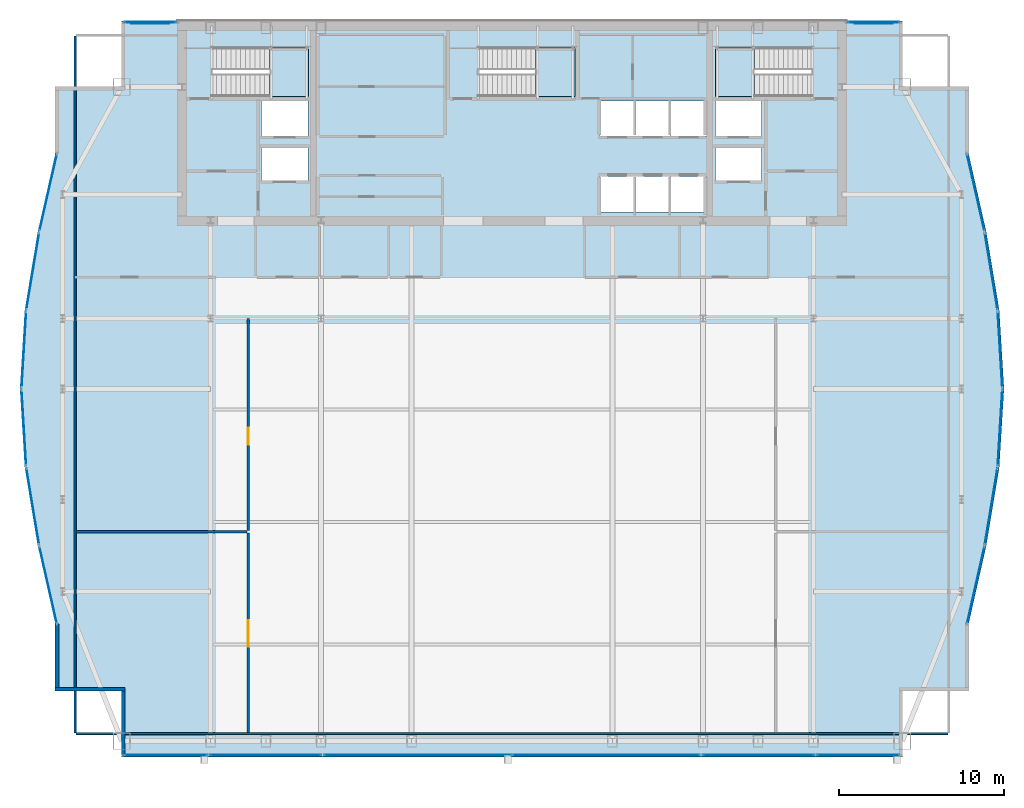
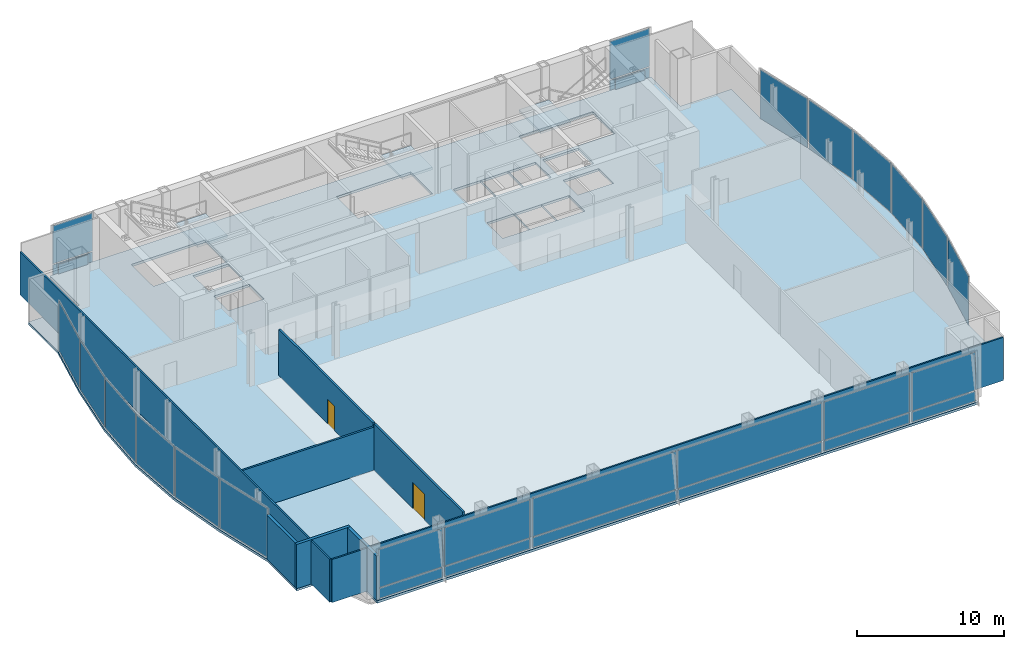
# One storey, part 23 of 28: 30 plates, 8 walls, 4 slabs, 2 doors, 2 openings, 22 elements without a shape of their own.
"""IFC4 building model written with IfcOpenShell, lengths in metres."""

from ifc_helpers import new_model, si_unit, direction, frame, frame_2d, origin, origin_2d, place, context, subcontext, project, spatial, polyline, rectangle, outline, extrude, material, layer, layer_set, type_object, element, fill, aggregate, save


model = new_model("IFC4")

# Units and contexts
model_context = context("Model", 3, precision=1e-05, world=origin(), true_north=direction((0.0, 1.0)))
body_context = subcontext(model_context, "Body", "Model", "MODEL_VIEW")
ifc_project = project(units=[si_unit("LENGTHUNIT", "METRE"), si_unit("AREAUNIT", "SQUARE_METRE"), si_unit("VOLUMEUNIT", "CUBIC_METRE"), si_unit("PLANEANGLEUNIT", "RADIAN"), si_unit("MASSUNIT", "GRAM", prefix="KILO")], contexts=[model_context])

# Site, building, storey
site_placement = place(None, origin())
site = spatial("IfcSite", under=ifc_project, at=site_placement, CompositionType="ELEMENT")
building_placement = place(site_placement, origin())
building = spatial("IfcBuilding", under=site, at=building_placement, Name="Khoronbel Lancet Exchange", CompositionType="ELEMENT")
storey_placement = place(building_placement, frame((0.0, 0.0, 265.39990234375)))
storey = spatial("IfcBuildingStorey", under=building, at=storey_placement, Name="L68", CompositionType="ELEMENT", Elevation=265.39990234375)

# Curtain wall, plate
ifc_material_1 = material(Name="Low-E Solar Control Insulating Glass", Category="glass")
curtain_wall_type_1 = type_object("IfcCurtainWallType", Name="CW-4", PredefinedType="NOTDEFINED", material=ifc_material_1)
curtain_wall_1_placement = place(storey_placement, origin())
curtain_wall_1 = element("IfcCurtainWall", 1, at=curtain_wall_1_placement, inside=storey, type_object=curtain_wall_type_1, Name="Unitised curtain wall CW-L68-E05", PredefinedType="NOTDEFINED")
ifc_material_2 = material(Name="Bronze-Anodised Aluminium 6063-T6", Category="aluminium")
ifc_layer_1 = layer(ifc_material_2, 0.050048828125, Name="Bronze-Anodised Aluminium 6063-T6")
ifc_layer_set_1 = layer_set([ifc_layer_1], Name="Bronze-Anodised Aluminium 6063-T6")
plate_type_1 = type_object("IfcPlateType", Name="PLT-CSP1", PredefinedType="SHEET", material=ifc_layer_set_1)
plate_1_placement = place(storey_placement, frame((7.470458984375, 24.338623046875, 0.0849609375), z_axis=(0.0, 0.0, 1.0), x_axis=(-0.163454433086, 0.986550884803, 0.0)))
plate_1 = element("IfcPlate", 2, at=plate_1_placement, type_object=plate_type_1, Name="CW4 panel 1.1", PredefinedType="CURTAIN_PANEL", context=body_context, shape_type="SweptSolid", body=[
    extrude(rectangle(XDim=4.657470703125, YDim=0.0380859375, at=origin_2d()), origin(), (0.0, 0.0, 1.0), 4.070068359375),
])
aggregate(curtain_wall_1, [plate_1])

curtain_wall_2_placement = place(storey_placement, origin())
curtain_wall_2 = element("IfcCurtainWall", 3, at=curtain_wall_2_placement, inside=storey, type_object=curtain_wall_type_1, Name="Unitised curtain wall CW-L68-E06", PredefinedType="NOTDEFINED")
plate_2_placement = place(storey_placement, frame((6.933837890625, 29.080078125, 0.0849609375), z_axis=(0.0, 0.0, 1.0), x_axis=(-0.060523036034, 0.998166800745, 0.0)))
plate_2 = element("IfcPlate", 4, at=plate_2_placement, type_object=plate_type_1, Name="CW4 panel 1.1", PredefinedType="CURTAIN_PANEL", context=body_context, shape_type="SweptSolid", body=[
    extrude(rectangle(XDim=4.5986328125, YDim=0.0380859375, at=origin_2d()), origin(), (0.0, 0.0, 1.0), 4.070068359375),
])
aggregate(curtain_wall_2, [plate_2])

curtain_wall_3_placement = place(storey_placement, origin())
curtain_wall_3 = element("IfcCurtainWall", 5, at=curtain_wall_3_placement, inside=storey, type_object=curtain_wall_type_1, Name="Unitised curtain wall CW-L68-E07", PredefinedType="NOTDEFINED")
plate_3_placement = place(storey_placement, frame((6.933837890625, 33.820068359375, 0.0849609375), z_axis=(0.0, 0.0, 1.0), x_axis=(0.060523036034, 0.998166800745, 0.0)))
plate_3 = element("IfcPlate", 6, at=plate_3_placement, type_object=plate_type_1, Name="CW4 panel 1.1", PredefinedType="CURTAIN_PANEL", context=body_context, shape_type="SweptSolid", body=[
    extrude(rectangle(XDim=4.5986328125, YDim=0.0380859375, at=origin_2d()), origin(), (0.0, 0.0, 1.0), 4.070068359375),
])
aggregate(curtain_wall_3, [plate_3])

curtain_wall_4_placement = place(storey_placement, origin())
curtain_wall_4 = element("IfcCurtainWall", 7, at=curtain_wall_4_placement, inside=storey, type_object=curtain_wall_type_1, Name="Unitised curtain wall CW-L68-E08", PredefinedType="NOTDEFINED")
plate_4_placement = place(storey_placement, frame((7.470458984375, 38.561279296875, 0.0849609375), z_axis=(0.0, 0.0, 1.0), x_axis=(0.163454433086, 0.986550884803, 0.0)))
plate_4 = element("IfcPlate", 8, at=plate_4_placement, type_object=plate_type_1, Name="CW4 panel 1.1", PredefinedType="CURTAIN_PANEL", context=body_context, shape_type="SweptSolid", body=[
    extrude(rectangle(XDim=4.657470703125, YDim=0.0380859375, at=origin_2d()), origin(), (0.0, 0.0, 1.0), 4.070068359375),
])
aggregate(curtain_wall_4, [plate_4])

curtain_wall_type_2 = type_object("IfcCurtainWallType", Name="CW-3", PredefinedType="NOTDEFINED", material=ifc_material_1)
curtain_wall_5_placement = place(storey_placement, origin())
curtain_wall_5 = element("IfcCurtainWall", 9, at=curtain_wall_5_placement, inside=storey, type_object=curtain_wall_type_2, Name="Unitised curtain wall CW-L68-NWFLK", PredefinedType="NOTDEFINED")
plate_5_placement = place(storey_placement, frame((14.580078125, 53.550048828125, 0.05029296875), z_axis=(0.0, 0.0, 1.0), x_axis=(-1.0, 0.0, 0.0)))
plate_5 = element("IfcPlate", 10, at=plate_5_placement, type_object=plate_type_1, Name="Insulated bronze spandrel cassette CW-L68-NWFLK", PredefinedType="SHEET", context=body_context, shape_type="SweptSolid", body=[
    extrude(rectangle(XDim=2.2958984375, YDim=0.050048828125, at=origin_2d()), origin(), (0.0, 0.0, 1.0), 0.800048828125),
])

curtain_wall_6_placement = place(storey_placement, origin())
curtain_wall_6 = element("IfcCurtainWall", 11, at=curtain_wall_6_placement, inside=storey, type_object=curtain_wall_type_2, Name="Unitised curtain wall CW-L68-NEFLK", PredefinedType="NOTDEFINED")
plate_6_placement = place(storey_placement, frame((58.320068359375, 53.550048828125, 0.05029296875), z_axis=(0.0, 0.0, 1.0), x_axis=(-1.0, 0.0, 0.0)))
plate_6 = element("IfcPlate", 12, at=plate_6_placement, type_object=plate_type_1, Name="Insulated bronze spandrel cassette CW-L68-NEFLK", PredefinedType="SHEET", context=body_context, shape_type="SweptSolid", body=[
    extrude(rectangle(XDim=2.2958984375, YDim=0.050048828125, at=origin_2d()), origin(), (0.0, 0.0, 1.0), 0.800048828125),
])

curtain_wall_7_placement = place(storey_placement, origin())
curtain_wall_7 = element("IfcCurtainWall", 13, at=curtain_wall_7_placement, inside=storey, type_object=curtain_wall_type_1, Name="Unitised curtain wall CW-L68-E18", PredefinedType="NOTDEFINED")
plate_7_placement = place(storey_placement, frame((65.429443359375, 38.561279296875, 0.0849609375), z_axis=(0.0, 0.0, 1.0), x_axis=(0.163454433086, -0.986550884803, 0.0)))
plate_7 = element("IfcPlate", 14, at=plate_7_placement, type_object=plate_type_1, Name="CW4 panel 1.1", PredefinedType="CURTAIN_PANEL", context=body_context, shape_type="SweptSolid", body=[
    extrude(rectangle(XDim=4.657470703125, YDim=0.0380859375, at=origin_2d()), origin(), (0.0, 0.0, 1.0), 4.070068359375),
])
aggregate(curtain_wall_7, [plate_7])

curtain_wall_8_placement = place(storey_placement, origin())
curtain_wall_8 = element("IfcCurtainWall", 15, at=curtain_wall_8_placement, inside=storey, type_object=curtain_wall_type_1, Name="Unitised curtain wall CW-L68-E19", PredefinedType="NOTDEFINED")
plate_8_placement = place(storey_placement, frame((65.966064453125, 33.820068359375, 0.0849609375), z_axis=(0.0, 0.0, 1.0), x_axis=(0.060523036034, -0.998166800745, 0.0)))
plate_8 = element("IfcPlate", 16, at=plate_8_placement, type_object=plate_type_1, Name="CW4 panel 1.1", PredefinedType="CURTAIN_PANEL", context=body_context, shape_type="SweptSolid", body=[
    extrude(rectangle(XDim=4.5986328125, YDim=0.0380859375, at=origin_2d()), origin(), (0.0, 0.0, 1.0), 4.070068359375),
])
aggregate(curtain_wall_8, [plate_8])

curtain_wall_9_placement = place(storey_placement, origin())
curtain_wall_9 = element("IfcCurtainWall", 17, at=curtain_wall_9_placement, inside=storey, type_object=curtain_wall_type_1, Name="Unitised curtain wall CW-L68-E20", PredefinedType="NOTDEFINED")
plate_9_placement = place(storey_placement, frame((65.966064453125, 29.080078125, 0.0849609375), z_axis=(0.0, 0.0, 1.0), x_axis=(-0.060523036034, -0.998166800745, 0.0)))
plate_9 = element("IfcPlate", 18, at=plate_9_placement, type_object=plate_type_1, Name="CW4 panel 1.1", PredefinedType="CURTAIN_PANEL", context=body_context, shape_type="SweptSolid", body=[
    extrude(rectangle(XDim=4.5986328125, YDim=0.0380859375, at=origin_2d()), origin(), (0.0, 0.0, 1.0), 4.070068359375),
])
aggregate(curtain_wall_9, [plate_9])

curtain_wall_10_placement = place(storey_placement, origin())
curtain_wall_10 = element("IfcCurtainWall", 19, at=curtain_wall_10_placement, inside=storey, type_object=curtain_wall_type_1, Name="Unitised curtain wall CW-L68-E21", PredefinedType="NOTDEFINED")
plate_10_placement = place(storey_placement, frame((65.429443359375, 24.338623046875, 0.0849609375), z_axis=(0.0, 0.0, 1.0), x_axis=(-0.163454433086, -0.986550884803, 0.0)))
plate_10 = element("IfcPlate", 20, at=plate_10_placement, type_object=plate_type_1, Name="CW4 panel 1.1", PredefinedType="CURTAIN_PANEL", context=body_context, shape_type="SweptSolid", body=[
    extrude(rectangle(XDim=4.657470703125, YDim=0.0380859375, at=origin_2d()), origin(), (0.0, 0.0, 1.0), 4.070068359375),
])
aggregate(curtain_wall_10, [plate_10])

# Curtain wall, plates
curtain_wall_11_placement = place(storey_placement, origin())
curtain_wall_11 = element("IfcCurtainWall", 21, at=curtain_wall_11_placement, inside=storey, type_object=curtain_wall_type_2, Name="Unitised curtain wall CW-L68-SWB", PredefinedType="NOTDEFINED")
plate_11_placement = place(storey_placement, frame((21.550048828125, 9.2900390625, 0.0849609375), z_axis=(0.0, 0.0, 1.0), x_axis=(1.0, 0.0, 0.0)))
plate_11 = element("IfcPlate", 22, at=plate_11_placement, type_object=plate_type_1, Name="CW3 panel 1.1", PredefinedType="CURTAIN_PANEL", context=body_context, shape_type="SweptSolid", body=[
    extrude(rectangle(XDim=6.72998046875, YDim=0.0380859375, at=origin_2d()), origin(), (0.0, 0.0, 1.0), 0.822509765625),
])
plate_12_placement = place(storey_placement, frame((21.550048828125, 9.2900390625, 0.992431640625), z_axis=(0.0, 0.0, 1.0), x_axis=(1.0, 0.0, 0.0)))
plate_12 = element("IfcPlate", 23, at=plate_12_placement, type_object=plate_type_1, Name="CW3 panel 1.2", PredefinedType="CURTAIN_PANEL", context=body_context, shape_type="SweptSolid", body=[
    extrude(rectangle(XDim=6.72998046875, YDim=0.0380859375, at=origin_2d()), origin(), (0.0, 0.0, 1.0), 3.16259765625),
])
aggregate(curtain_wall_11, [plate_11, plate_12])

curtain_wall_12_placement = place(storey_placement, origin())
curtain_wall_12 = element("IfcCurtainWall", 24, at=curtain_wall_12_placement, inside=storey, type_object=curtain_wall_type_2, Name="Unitised curtain wall CW-L68-SEB", PredefinedType="NOTDEFINED")
plate_13_placement = place(storey_placement, frame((51.35009765625, 9.2900390625, 0.0849609375), z_axis=(0.0, 0.0, 1.0), x_axis=(1.0, 0.0, 0.0)))
plate_13 = element("IfcPlate", 25, at=plate_13_placement, type_object=plate_type_1, Name="CW3 panel 1.1", PredefinedType="CURTAIN_PANEL", context=body_context, shape_type="SweptSolid", body=[
    extrude(rectangle(XDim=6.72998046875, YDim=0.0380859375, at=origin_2d()), origin(), (0.0, 0.0, 1.0), 0.822509765625),
])
plate_14_placement = place(storey_placement, frame((51.35009765625, 9.2900390625, 0.992431640625), z_axis=(0.0, 0.0, 1.0), x_axis=(1.0, 0.0, 0.0)))
plate_14 = element("IfcPlate", 26, at=plate_14_placement, type_object=plate_type_1, Name="CW3 panel 1.2", PredefinedType="CURTAIN_PANEL", context=body_context, shape_type="SweptSolid", body=[
    extrude(rectangle(XDim=6.72998046875, YDim=0.0380859375, at=origin_2d()), origin(), (0.0, 0.0, 1.0), 3.16259765625),
])
aggregate(curtain_wall_12, [plate_13, plate_14])

# Plate
ifc_layer_2 = layer(ifc_material_1, 0.035888671875, Name="Low-E Solar Control Insulating Glass")
ifc_layer_set_2 = layer_set([ifc_layer_2], Name="Low-E Solar Control Insulating Glass")
plate_type_2 = type_object("IfcPlateType", Name="PLT-CWP1", PredefinedType="CURTAIN_PANEL", material=ifc_layer_set_2)
plate_15_placement = place(storey_placement, frame((14.580078125, 53.610107421875, 0.0849609375), z_axis=(0.0, 0.0, 1.0), x_axis=(-1.0, 0.0, 0.0)))
plate_15 = element("IfcPlate", 27, at=plate_15_placement, type_object=plate_type_2, Name="CW3 panel 1.1", PredefinedType="CURTAIN_PANEL", context=body_context, shape_type="SweptSolid", body=[
    extrude(rectangle(XDim=3.110107421875, YDim=0.0380859375, at=origin_2d()), origin(), (0.0, 0.0, 1.0), 0.822509765625),
])

plate_16_placement = place(storey_placement, frame((14.580078125, 53.610107421875, 0.992431640625), z_axis=(0.0, 0.0, 1.0), x_axis=(-1.0, 0.0, 0.0)))
plate_16 = element("IfcPlate", 28, at=plate_16_placement, type_object=plate_type_2, Name="CW3 panel 1.2", PredefinedType="CURTAIN_PANEL", context=body_context, shape_type="SweptSolid", body=[
    extrude(rectangle(XDim=3.110107421875, YDim=0.0380859375, at=origin_2d()), origin(), (0.0, 0.0, 1.0), 3.16259765625),
])

aggregate(curtain_wall_5, [plate_15, plate_16, plate_5])

plate_17_placement = place(storey_placement, frame((58.320068359375, 53.610107421875, 0.0849609375), z_axis=(0.0, 0.0, 1.0), x_axis=(-1.0, 0.0, 0.0)))
plate_17 = element("IfcPlate", 29, at=plate_17_placement, type_object=plate_type_2, Name="CW3 panel 1.1", PredefinedType="CURTAIN_PANEL", context=body_context, shape_type="SweptSolid", body=[
    extrude(rectangle(XDim=3.110107421875, YDim=0.0380859375, at=origin_2d()), origin(), (0.0, 0.0, 1.0), 0.822509765625),
])

plate_18_placement = place(storey_placement, frame((58.320068359375, 53.610107421875, 0.992431640625), z_axis=(0.0, 0.0, 1.0), x_axis=(-1.0, 0.0, 0.0)))
plate_18 = element("IfcPlate", 30, at=plate_18_placement, type_object=plate_type_2, Name="CW3 panel 1.2", PredefinedType="CURTAIN_PANEL", context=body_context, shape_type="SweptSolid", body=[
    extrude(rectangle(XDim=3.110107421875, YDim=0.0380859375, at=origin_2d()), origin(), (0.0, 0.0, 1.0), 3.16259765625),
])

aggregate(curtain_wall_6, [plate_17, plate_18, plate_6])

# Curtain wall, plates
curtain_wall_13_placement = place(storey_placement, origin())
curtain_wall_13 = element("IfcCurtainWall", 31, at=curtain_wall_13_placement, inside=storey, type_object=curtain_wall_type_2, Name="Unitised curtain wall CW-L68-SWV", PredefinedType="NOTDEFINED")
plate_19_placement = place(storey_placement, frame((15.52001953125, 9.2900390625, 0.0849609375), z_axis=(0.0, 0.0, 1.0), x_axis=(1.0, 0.0, 0.0)))
plate_19 = element("IfcPlate", 32, at=plate_19_placement, type_object=plate_type_2, Name="CW3 panel 1.1", PredefinedType="CURTAIN_PANEL", context=body_context, shape_type="SweptSolid", body=[
    extrude(rectangle(XDim=4.989990234375, YDim=0.0380859375, at=origin_2d()), origin(), (0.0, 0.0, 1.0), 0.822509765625),
])
plate_20_placement = place(storey_placement, frame((15.52001953125, 9.2900390625, 0.992431640625), z_axis=(0.0, 0.0, 1.0), x_axis=(1.0, 0.0, 0.0)))
plate_20 = element("IfcPlate", 33, at=plate_20_placement, type_object=plate_type_2, Name="CW3 panel 1.2", PredefinedType="CURTAIN_PANEL", context=body_context, shape_type="SweptSolid", body=[
    extrude(rectangle(XDim=4.989990234375, YDim=0.0380859375, at=origin_2d()), origin(), (0.0, 0.0, 1.0), 3.16259765625),
])
aggregate(curtain_wall_13, [plate_19, plate_20])

curtain_wall_14_placement = place(storey_placement, origin())
curtain_wall_14 = element("IfcCurtainWall", 34, at=curtain_wall_14_placement, inside=storey, type_object=curtain_wall_type_2, Name="Unitised curtain wall CW-L68-SCV", PredefinedType="NOTDEFINED")
plate_21_placement = place(storey_placement, frame((30.746337890625, 9.2900390625, 0.0849609375), z_axis=(0.0, 0.0, 1.0), x_axis=(1.0, 0.0, 0.0)))
plate_21 = element("IfcPlate", 35, at=plate_21_placement, type_object=plate_type_2, Name="CW3 panel 1.1", PredefinedType="CURTAIN_PANEL", context=body_context, shape_type="SweptSolid", body=[
    extrude(rectangle(XDim=11.322509765625, YDim=0.0380859375, at=origin_2d()), origin(), (0.0, 0.0, 1.0), 0.822509765625),
])
plate_22_placement = place(storey_placement, frame((30.746337890625, 9.2900390625, 0.992431640625), z_axis=(0.0, 0.0, 1.0), x_axis=(1.0, 0.0, 0.0)))
plate_22 = element("IfcPlate", 36, at=plate_22_placement, type_object=plate_type_2, Name="CW3 panel 1.2", PredefinedType="CURTAIN_PANEL", context=body_context, shape_type="SweptSolid", body=[
    extrude(rectangle(XDim=11.322509765625, YDim=0.0380859375, at=origin_2d()), origin(), (0.0, 0.0, 1.0), 3.16259765625),
])
plate_23_placement = place(storey_placement, frame((42.15380859375, 9.2900390625, 0.0849609375), z_axis=(0.0, 0.0, 1.0), x_axis=(1.0, 0.0, 0.0)))
plate_23 = element("IfcPlate", 37, at=plate_23_placement, type_object=plate_type_2, Name="CW3 panel 2.1", PredefinedType="CURTAIN_PANEL", context=body_context, shape_type="SweptSolid", body=[
    extrude(rectangle(XDim=11.322509765625, YDim=0.0380859375, at=origin_2d()), origin(), (0.0, 0.0, 1.0), 0.822509765625),
])
plate_24_placement = place(storey_placement, frame((42.15380859375, 9.2900390625, 0.992431640625), z_axis=(0.0, 0.0, 1.0), x_axis=(1.0, 0.0, 0.0)))
plate_24 = element("IfcPlate", 38, at=plate_24_placement, type_object=plate_type_2, Name="CW3 panel 2.2", PredefinedType="CURTAIN_PANEL", context=body_context, shape_type="SweptSolid", body=[
    extrude(rectangle(XDim=11.322509765625, YDim=0.0380859375, at=origin_2d()), origin(), (0.0, 0.0, 1.0), 3.16259765625),
])
aggregate(curtain_wall_14, [plate_21, plate_22, plate_23, plate_24])

curtain_wall_15_placement = place(storey_placement, origin())
curtain_wall_15 = element("IfcCurtainWall", 39, at=curtain_wall_15_placement, inside=storey, type_object=curtain_wall_type_2, Name="Unitised curtain wall CW-L68-SEV", PredefinedType="NOTDEFINED")
plate_25_placement = place(storey_placement, frame((57.3798828125, 9.2900390625, 0.0849609375), z_axis=(0.0, 0.0, 1.0), x_axis=(1.0, 0.0, 0.0)))
plate_25 = element("IfcPlate", 40, at=plate_25_placement, type_object=plate_type_2, Name="CW3 panel 1.1", PredefinedType="CURTAIN_PANEL", context=body_context, shape_type="SweptSolid", body=[
    extrude(rectangle(XDim=4.989990234375, YDim=0.0380859375, at=origin_2d()), origin(), (0.0, 0.0, 1.0), 0.822509765625),
])
plate_26_placement = place(storey_placement, frame((57.3798828125, 9.2900390625, 0.992431640625), z_axis=(0.0, 0.0, 1.0), x_axis=(1.0, 0.0, 0.0)))
plate_26 = element("IfcPlate", 41, at=plate_26_placement, type_object=plate_type_2, Name="CW3 panel 1.2", PredefinedType="CURTAIN_PANEL", context=body_context, shape_type="SweptSolid", body=[
    extrude(rectangle(XDim=4.989990234375, YDim=0.0380859375, at=origin_2d()), origin(), (0.0, 0.0, 1.0), 3.16259765625),
])
aggregate(curtain_wall_15, [plate_25, plate_26])

# Curtain wall, plate
curtain_wall_16_placement = place(storey_placement, origin())
curtain_wall_16 = element("IfcCurtainWall", 42, at=curtain_wall_16_placement, inside=storey, type_object=curtain_wall_type_1, Name="Unitised curtain wall CW-L68-E04", PredefinedType="NOTDEFINED")
ifc_material_3 = material(Name="Ceramic-Fritted Laminated Insulating Glass", Category="glass")
ifc_layer_3 = layer(ifc_material_3, 0.0419921875, Name="Ceramic-Fritted Laminated Insulating Glass")
ifc_layer_set_3 = layer_set([ifc_layer_3], Name="Ceramic-Fritted Laminated Insulating Glass")
plate_type_3 = type_object("IfcPlateType", Name="PLT-CWP2", PredefinedType="CURTAIN_PANEL", material=ifc_layer_set_3)
plate_27_placement = place(storey_placement, frame((8.401611328125, 19.588623046875, 0.0849609375), z_axis=(0.0, 0.0, 1.0), x_axis=(-0.220727770874, 0.97533545571, 0.0)))
plate_27 = element("IfcPlate", 43, at=plate_27_placement, type_object=plate_type_3, Name="CW4 panel 1.1", PredefinedType="CURTAIN_PANEL", context=body_context, shape_type="SweptSolid", body=[
    extrude(rectangle(XDim=4.7275390625, YDim=0.0380859375, at=origin_2d()), origin(), (0.0, 0.0, 1.0), 4.070068359375),
])
aggregate(curtain_wall_16, [plate_27])

curtain_wall_17_placement = place(storey_placement, origin())
curtain_wall_17 = element("IfcCurtainWall", 44, at=curtain_wall_17_placement, inside=storey, type_object=curtain_wall_type_1, Name="Unitised curtain wall CW-L68-E09", PredefinedType="NOTDEFINED")
plate_28_placement = place(storey_placement, frame((8.401611328125, 43.311279296875, 0.0849609375), z_axis=(0.0, 0.0, 1.0), x_axis=(0.220727770874, 0.97533545571, 0.0)))
plate_28 = element("IfcPlate", 45, at=plate_28_placement, type_object=plate_type_3, Name="CW4 panel 1.1", PredefinedType="CURTAIN_PANEL", context=body_context, shape_type="SweptSolid", body=[
    extrude(rectangle(XDim=4.7275390625, YDim=0.0380859375, at=origin_2d()), origin(), (0.0, 0.0, 1.0), 4.070068359375),
])
aggregate(curtain_wall_17, [plate_28])

curtain_wall_18_placement = place(storey_placement, origin())
curtain_wall_18 = element("IfcCurtainWall", 46, at=curtain_wall_18_placement, inside=storey, type_object=curtain_wall_type_1, Name="Unitised curtain wall CW-L68-E17", PredefinedType="NOTDEFINED")
plate_29_placement = place(storey_placement, frame((64.498291015625, 43.311279296875, 0.0849609375), z_axis=(0.0, 0.0, 1.0), x_axis=(0.220727770874, -0.97533545571, 0.0)))
plate_29 = element("IfcPlate", 47, at=plate_29_placement, type_object=plate_type_3, Name="CW4 panel 1.1", PredefinedType="CURTAIN_PANEL", context=body_context, shape_type="SweptSolid", body=[
    extrude(rectangle(XDim=4.7275390625, YDim=0.0380859375, at=origin_2d()), origin(), (0.0, 0.0, 1.0), 4.070068359375),
])
aggregate(curtain_wall_18, [plate_29])

curtain_wall_19_placement = place(storey_placement, origin())
curtain_wall_19 = element("IfcCurtainWall", 48, at=curtain_wall_19_placement, inside=storey, type_object=curtain_wall_type_1, Name="Unitised curtain wall CW-L68-E22", PredefinedType="NOTDEFINED")
plate_30_placement = place(storey_placement, frame((64.498291015625, 19.588623046875, 0.0849609375), z_axis=(0.0, 0.0, 1.0), x_axis=(-0.220727770874, -0.97533545571, 0.0)))
plate_30 = element("IfcPlate", 49, at=plate_30_placement, type_object=plate_type_3, Name="CW4 panel 1.1", PredefinedType="CURTAIN_PANEL", context=body_context, shape_type="SweptSolid", body=[
    extrude(rectangle(XDim=4.7275390625, YDim=0.0380859375, at=origin_2d()), origin(), (0.0, 0.0, 1.0), 4.070068359375),
])
aggregate(curtain_wall_19, [plate_30])

# Slab
ifc_material_4 = material(Name="Concrete C40/50", Category="concrete")
ifc_layer_4 = layer(ifc_material_4, 0.199951171875, Name="Concrete C40/50")
ifc_layer_set_4 = layer_set([ifc_layer_4], Name="Concrete C40/50")
slab_type_1 = type_object("IfcSlabType", Name="SL-FL200", PredefinedType="FLOOR", material=ifc_layer_set_4)
slab_1_placement = place(storey_placement, frame((0.0, 0.0, -0.199951171875)))
element("IfcSlab", 50, at=slab_1_placement, inside=storey, type_object=slab_type_1, Name="Level L68 composite structural floor slab", PredefinedType="FLOOR", context=body_context, shape_type="SweptSolid", body=[
    extrude(outline(polyline([(12.85009765625, 9.199951171875), (60.050048828125, 9.199951171875), (60.050048828125, 13.199951171875), (64.050048828125, 13.199951171875), (64.050048828125, 17.199951171875), (65.125, 21.949951171875), (65.912109375, 26.699951171875), (66.199951171875, 31.449951171875), (65.912109375, 36.199951171875), (65.125, 40.949951171875), (64.050048828125, 45.699951171875), (64.050048828125, 49.699951171875), (60.050048828125, 49.699951171875), (60.050048828125, 53.699951171875), (12.85009765625, 53.699951171875), (12.85009765625, 49.699951171875), (8.85009765625, 49.699951171875), (8.85009765625, 45.699951171875), (7.77490234375, 40.949951171875), (6.988037109375, 36.199951171875), (6.699951171875, 31.449951171875), (6.988037109375, 26.699951171875), (7.77490234375, 21.949951171875), (8.85009765625, 17.199951171875), (8.85009765625, 13.199951171875), (12.85009765625, 13.199951171875), (12.85009765625, 9.199951171875)]), holes=[polyline([(18.324951171875, 49.1201171875), (24.14990234375, 49.1201171875), (24.14990234375, 52.10009765625), (18.324951171875, 52.10009765625), (18.324951171875, 49.1201171875)]), polyline([(48.75, 49.1201171875), (54.574951171875, 49.1201171875), (54.574951171875, 52.10009765625), (48.75, 52.10009765625), (48.75, 49.1201171875)]), polyline([(34.425048828125, 49.1201171875), (40.25, 49.1201171875), (40.25, 52.10009765625), (34.425048828125, 52.10009765625), (34.425048828125, 49.1201171875)]), polyline([(41.739990234375, 46.75), (43.8798828125, 46.75), (43.8798828125, 48.85009765625), (41.739990234375, 48.85009765625), (41.739990234375, 46.75)]), polyline([(43.89990234375, 46.75), (46.0400390625, 46.75), (46.0400390625, 48.85009765625), (43.89990234375, 48.85009765625), (43.89990234375, 46.75)]), polyline([(46.06005859375, 46.75), (48.199951171875, 46.75), (48.199951171875, 48.85009765625), (46.06005859375, 48.85009765625), (46.06005859375, 46.75)]), polyline([(41.739990234375, 42.14990234375), (43.8798828125, 42.14990234375), (43.8798828125, 44.300048828125), (41.739990234375, 44.300048828125), (41.739990234375, 42.14990234375)]), polyline([(43.89990234375, 42.14990234375), (46.0400390625, 42.14990234375), (46.0400390625, 44.300048828125), (43.89990234375, 44.300048828125), (43.89990234375, 42.14990234375)]), polyline([(46.06005859375, 42.14990234375), (48.199951171875, 42.14990234375), (48.199951171875, 44.300048828125), (46.06005859375, 44.300048828125), (46.06005859375, 42.14990234375)]), polyline([(21.300048828125, 46.75), (24.10009765625, 46.75), (24.10009765625, 48.85009765625), (21.300048828125, 48.85009765625), (21.300048828125, 46.75)]), polyline([(48.75, 46.75), (51.550048828125, 46.75), (51.550048828125, 48.85009765625), (48.75, 48.85009765625), (48.75, 46.75)]), polyline([(21.300048828125, 44.050048828125), (24.10009765625, 44.050048828125), (24.10009765625, 46.050048828125), (21.300048828125, 46.050048828125), (21.300048828125, 44.050048828125)]), polyline([(48.75, 44.050048828125), (51.550048828125, 44.050048828125), (51.550048828125, 46.050048828125), (48.75, 46.050048828125), (48.75, 44.050048828125)])]), origin(), (0.0, 0.0, 1.0), 0.199951171875),
])

# Stair, slab
stair_type = type_object("IfcStairType", Name="STR-CORE150", PredefinedType="HALF_TURN_STAIR", material=ifc_material_4)
stair_1_placement = place(storey_placement, origin())
stair_1 = element("IfcStair", 51, at=stair_1_placement, inside=storey, type_object=stair_type, Name="L68 Protected Exit Stair ST1", PredefinedType="HALF_TURN_STAIR")
ifc_layer_5 = layer(ifc_material_4, 0.199951171875, Name="Concrete C40/50")
ifc_layer_set_5 = layer_set([ifc_layer_5], Name="Concrete C40/50")
slab_type_2 = type_object("IfcSlabType", Name="SL-LND180", PredefinedType="LANDING", material=ifc_layer_set_5)
slab_2_placement = place(storey_placement, frame((0.0, 0.0, 2.0)))
slab_2 = element("IfcSlab", 52, at=slab_2_placement, type_object=slab_type_2, Name="ST1 landing 1", PredefinedType="LANDING", context=body_context, shape_type="SweptSolid", body=[
    extrude(outline(polyline([(21.780029296875, 49.1201171875), (24.14990234375, 49.1201171875), (24.14990234375, 52.10009765625), (21.780029296875, 52.10009765625), (21.780029296875, 49.1201171875)])), origin(), (0.0, 0.0, 1.0), 0.2001953125),
])
aggregate(stair_1, [slab_2])

stair_2_placement = place(storey_placement, origin())
stair_2 = element("IfcStair", 53, at=stair_2_placement, inside=storey, type_object=stair_type, Name="L68 Protected Exit Stair ST2", PredefinedType="HALF_TURN_STAIR")
slab_3_placement = place(storey_placement, frame((0.0, 0.0, 2.0)))
slab_3 = element("IfcSlab", 54, at=slab_3_placement, type_object=slab_type_2, Name="ST2 landing 1", PredefinedType="LANDING", context=body_context, shape_type="SweptSolid", body=[
    extrude(outline(polyline([(51.1201171875, 52.10009765625), (48.75, 52.10009765625), (48.75, 49.1201171875), (51.1201171875, 49.1201171875), (51.1201171875, 52.10009765625)])), origin(), (0.0, 0.0, 1.0), 0.2001953125),
])
aggregate(stair_2, [slab_3])

stair_3_placement = place(storey_placement, origin())
stair_3 = element("IfcStair", 55, at=stair_3_placement, inside=storey, type_object=stair_type, Name="L68 Protected Exit Stair ST3", PredefinedType="HALF_TURN_STAIR")
slab_4_placement = place(storey_placement, frame((0.0, 0.0, 2.0)))
slab_4 = element("IfcSlab", 56, at=slab_4_placement, type_object=slab_type_2, Name="ST3 landing 1", PredefinedType="LANDING", context=body_context, shape_type="SweptSolid", body=[
    extrude(outline(polyline([(37.8798828125, 49.1201171875), (40.25, 49.1201171875), (40.25, 52.10009765625), (37.8798828125, 52.10009765625), (37.8798828125, 49.1201171875)])), origin(), (0.0, 0.0, 1.0), 0.2001953125),
])
aggregate(stair_3, [slab_4])

# Walls
ifc_material_5 = material(Name="Precast concrete C40/50", Category="concrete")
ifc_layer_6 = layer(ifc_material_5, 0.25, Name="Precast concrete C40/50")
ifc_layer_set_6 = layer_set([ifc_layer_6], Name="Precast concrete C40/50")
wall_type_1 = type_object("IfcWallType", Name="WL-EXT250", PredefinedType="SOLIDWALL", material=ifc_layer_set_6)
wall_1_placement = place(storey_placement, frame((12.93994140625, 9.27001953125, 0.0), z_axis=(0.0, 0.0, 1.0), x_axis=(0.0, 1.0, 0.0)))
element("IfcWall", 57, at=wall_1_placement, inside=storey, type_object=wall_type_1, Name="Level L68 notched-corner limestone pier 01", PredefinedType="SOLIDWALL", context=body_context, shape_type="SweptSolid", body=[
    extrude(rectangle(XDim=3.909912109375, YDim=0.219970703125, at=frame_2d((1.955078125, 0.0))), origin(), (0.0, 0.0, 1.0), 3.68017578125),
])
wall_2_placement = place(storey_placement, frame((13.050048828125, 13.2900390625, 0.0), z_axis=(0.0, 0.0, 1.0), x_axis=(-1.0, 0.0, 0.0)))
element("IfcWall", 58, at=wall_2_placement, inside=storey, type_object=wall_type_1, Name="Level L68 notched-corner limestone pier 02", PredefinedType="SOLIDWALL", context=body_context, shape_type="SweptSolid", body=[
    extrude(rectangle(XDim=4.219970703125, YDim=0.219970703125, at=frame_2d((2.10986328125, 0.0))), origin(), (0.0, 0.0, 1.0), 3.68017578125),
])
wall_3_placement = place(storey_placement, frame((8.93994140625, 13.39990234375, 0.0), z_axis=(0.0, 0.0, 1.0), x_axis=(0.0, 1.0, 0.0)))
element("IfcWall", 59, at=wall_3_placement, inside=storey, type_object=wall_type_1, Name="Level L68 notched-corner limestone pier 03", PredefinedType="SOLIDWALL", context=body_context, shape_type="SweptSolid", body=[
    extrude(rectangle(XDim=3.830078125, YDim=0.219970703125, at=frame_2d((1.9150390625, 0.0))), origin(), (0.0, 0.0, 1.0), 3.68017578125),
])
ifc_material_6 = material(Name="Acoustic Metal-Stud & Mineral-Wool Gypsum Partition 120 mm", Category="gypsum")
ifc_layer_7 = layer(ifc_material_6, 0.1201171875, Name="Acoustic Metal-Stud & Mineral-Wool Gypsum Partition 120 mm")
ifc_layer_set_7 = layer_set([ifc_layer_7], Name="Acoustic Metal-Stud & Mineral-Wool Gypsum Partition 120 mm")
wall_type_2 = type_object("IfcWallType", Name="WL-PRT120", PredefinedType="PARTITIONING", material=ifc_layer_set_7)
wall_4_placement = place(storey_placement, frame((10.094970703125, 22.800048828125, 0.0), z_axis=(0.0, 0.0, 1.0), x_axis=(1.0, 0.0, 0.0)))
element("IfcWall", 60, at=wall_4_placement, inside=storey, type_object=wall_type_2, Name="Level L68 interior partition PW-SL-WM", PredefinedType="PARTITIONING", context=body_context, shape_type="SweptSolid", body=[
    extrude(rectangle(XDim=10.324951171875, YDim=0.14990234375, at=frame_2d((5.16259765625, 0.0))), origin(), (0.0, 0.0, 1.0), 3.580078125),
])
wall_5_placement = place(storey_placement, frame((10.030029296875, 10.6650390625, 0.0), z_axis=(0.0, 0.0, 1.0), x_axis=(0.0, 1.0, 0.0)))
element("IfcWall", 61, at=wall_5_placement, inside=storey, type_object=wall_type_2, Name="Level L68 interior partition PW-LIN-W", PredefinedType="PARTITIONING", context=body_context, shape_type="SweptSolid", body=[
    extrude(rectangle(XDim=42.10986328125, YDim=0.1201171875, at=frame_2d((21.054931640625, 0.0))), origin(), (0.0, 0.0, 1.0), 3.580078125),
])
wall_6_placement = place(storey_placement, frame((10.094970703125, 10.60009765625, 0.0), z_axis=(0.0, 0.0, 1.0), x_axis=(1.0, 0.0, 0.0)))
element("IfcWall", 62, at=wall_6_placement, inside=storey, type_object=wall_type_2, Name="Level L68 interior partition PW-LIN-S", PredefinedType="PARTITIONING", context=body_context, shape_type="SweptSolid", body=[
    extrude(rectangle(XDim=52.7099609375, YDim=0.1201171875, at=frame_2d((26.35498046875, 0.0))), origin(), (0.0, 0.0, 1.0), 3.580078125),
])

# Wall, opening, door
ifc_material_7 = material(Name="Fire-Rated Twin-Stud Acoustic Gypsum Partition 150 mm", Category="gypsum")
ifc_layer_8 = layer(ifc_material_7, 0.14990234375, Name="Fire-Rated Twin-Stud Acoustic Gypsum Partition 150 mm")
ifc_layer_set_8 = layer_set([ifc_layer_8], Name="Fire-Rated Twin-Stud Acoustic Gypsum Partition 150 mm")
wall_type_3 = type_object("IfcWallType", Name="WL-PRT150C", PredefinedType="PARTITIONING", material=ifc_layer_set_8)
wall_7_placement = place(storey_placement, frame((20.5, 10.6650390625, 0.0), z_axis=(0.0, 0.0, 1.0), x_axis=(0.0, 1.0, 0.0)))
wall_7 = element("IfcWall", 63, at=wall_7_placement, inside=storey, type_object=wall_type_3, Name="Level L68 interior partition PW-SL-W1", PredefinedType="PARTITIONING", context=body_context, shape_type="SweptSolid", body=[
    extrude(rectangle(XDim=12.054931640625, YDim=0.14990234375, at=frame_2d((6.02734375, 0.0))), origin(), (0.0, 0.0, 1.0), 3.830078125),
])
opening_1_placement = place(wall_7_placement, frame((5.199951171875, 0.0, 0.0)))
opening_1 = element("IfcOpeningElement", 64, at=opening_1_placement, cuts=wall_7, Name="Opening D3", PredefinedType="OPENING", context=body_context, shape_type="SweptSolid", body=[
    extrude(rectangle(XDim=1.60009765625, YDim=2.14990234375, at=frame_2d((0.800048828125, 1.074951171875))), frame((0.0, 0.0849609375, 0.0), z_axis=(0.0, -1.0, 0.0), x_axis=(1.0, 0.0, 0.0)), (0.0, 0.0, 1.0), 0.169921875),
])
ifc_material_8 = material(Name="Glazed Bronze-Framed Double Suite Door", Category="aluminium")
door_type_1 = type_object("IfcDoorType", Name="DR-D3", OperationType="NOTDEFINED", PredefinedType="DOOR", material=ifc_material_8)
door_1_placement = place(opening_1_placement, origin())
door_1 = element("IfcDoor", 65, at=door_1_placement, inside=storey, type_object=door_type_1, Name="Sky-lobby west dining lounge door L68-1", OperationType="DOUBLE_DOOR_SINGLE_SWING", OverallHeight=2.14990234375, OverallWidth=1.60009765625, PredefinedType="DOOR", context=body_context, shape_type="SweptSolid", body=[
    extrude(rectangle(XDim=1.60009765625, YDim=2.14990234375, at=frame_2d((0.800048828125, 1.074951171875))), frame((0.0, 0.02490234375, 0.0), z_axis=(0.0, -1.0, 0.0), x_axis=(1.0, 0.0, 0.0)), (0.0, 0.0, 1.0), 0.050048828125),
])
fill(opening_1, door_1)

wall_8_placement = place(storey_placement, frame((20.5, 22.8798828125, 0.0), z_axis=(0.0, 0.0, 1.0), x_axis=(0.0, 1.0, 0.0)))
wall_8 = element("IfcWall", 66, at=wall_8_placement, inside=storey, type_object=wall_type_3, Name="Level L68 interior partition PW-SL-W2", PredefinedType="PARTITIONING", context=body_context, shape_type="SweptSolid", body=[
    extrude(rectangle(XDim=12.820068359375, YDim=0.14990234375, at=frame_2d((6.41015625, 0.0))), origin(), (0.0, 0.0, 1.0), 3.830078125),
])
opening_2_placement = place(wall_8_placement, frame((5.199951171875, 0.0, 0.0)))
opening_2 = element("IfcOpeningElement", 67, at=opening_2_placement, cuts=wall_8, Name="Opening D2", PredefinedType="OPENING", context=body_context, shape_type="SweptSolid", body=[
    extrude(rectangle(XDim=1.0, YDim=2.050048828125, at=frame_2d((0.5, 1.02490234375))), frame((0.0, 0.0849609375, 0.0), z_axis=(0.0, -1.0, 0.0), x_axis=(1.0, 0.0, 0.0)), (0.0, 0.0, 1.0), 0.169921875),
])
ifc_material_9 = material(Name="Acoustic Veneered Timber & Bronze Frame Door", Category="wood")
door_type_2 = type_object("IfcDoorType", Name="DR-D2", OperationType="NOTDEFINED", PredefinedType="DOOR", material=ifc_material_9)
door_2_placement = place(opening_2_placement, origin())
door_2 = element("IfcDoor", 68, at=door_2_placement, inside=storey, type_object=door_type_2, Name="Sky-lobby auditorium door L68-1", OperationType="SINGLE_SWING_RIGHT", OverallHeight=2.050048828125, OverallWidth=1.0, PredefinedType="DOOR", context=body_context, shape_type="SweptSolid", body=[
    extrude(rectangle(XDim=1.0, YDim=2.050048828125, at=frame_2d((0.5, 1.02490234375))), frame((0.0, 0.02490234375, 0.0), z_axis=(0.0, -1.0, 0.0), x_axis=(1.0, 0.0, 0.0)), (0.0, 0.0, 1.0), 0.050048828125),
])
fill(opening_2, door_2)

save(model, "model.ifc")
